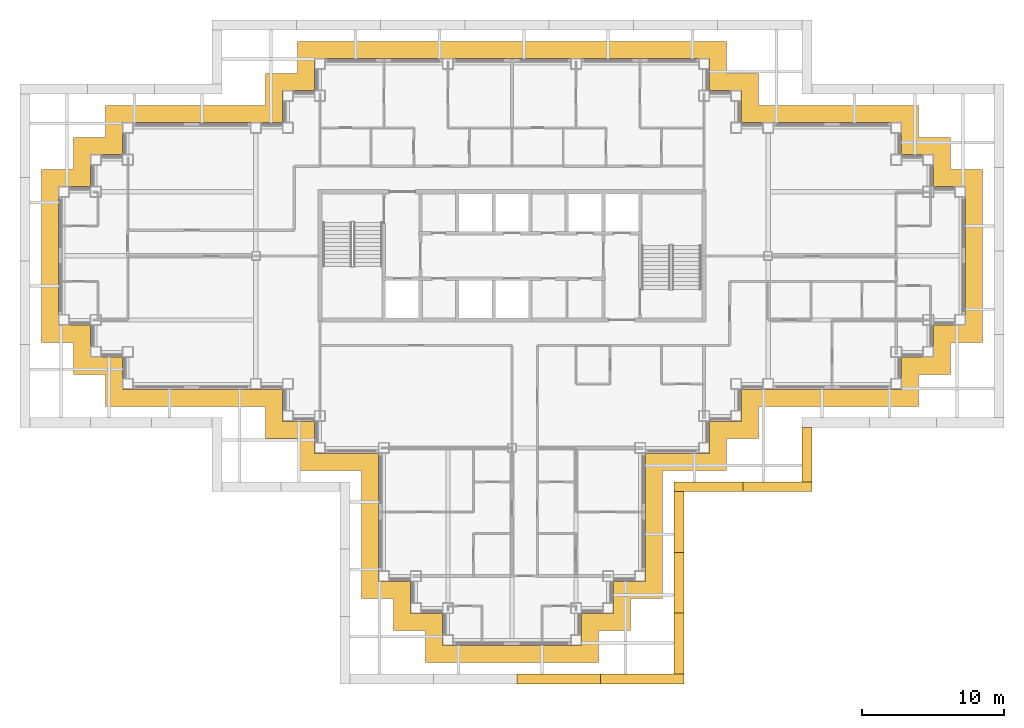
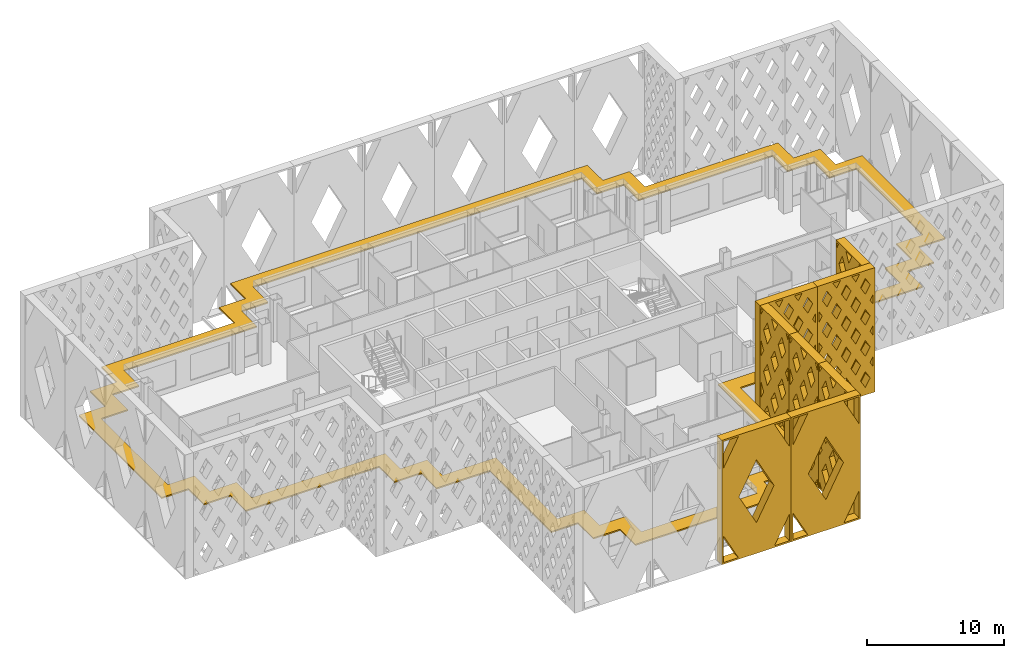
# One storey, part 15 of 18: 9 shading devices.
"""IFC4 building model written with IfcOpenShell, lengths in metres."""

from ifc_helpers import new_model, si_unit, direction, frame, origin, place, context, subcontext, project, spatial, polyline, outline, extrude, material, layer, layer_set, type_object, element, save


model = new_model("IFC4")

# Units and contexts
model_context = context("Model", 3, precision=1e-05, world=origin(), true_north=direction((0.0, 1.0)))
body_context = subcontext(model_context, "Body", "Model", "MODEL_VIEW")
ifc_project = project(units=[si_unit("LENGTHUNIT", "METRE"), si_unit("AREAUNIT", "SQUARE_METRE"), si_unit("VOLUMEUNIT", "CUBIC_METRE"), si_unit("PLANEANGLEUNIT", "RADIAN"), si_unit("MASSUNIT", "GRAM", prefix="KILO")], contexts=[model_context])

# Site, building, storey
site_placement = place(None, origin())
site = spatial("IfcSite", under=ifc_project, at=site_placement, CompositionType="ELEMENT")
building_placement = place(site_placement, origin())
building = spatial("IfcBuilding", under=site, at=building_placement, Name="Caravel Reach Hotel and Residences", CompositionType="ELEMENT")
storey_placement = place(building_placement, frame((0.0, 0.0, 176.5)))
storey = spatial("IfcBuildingStorey", under=building, at=storey_placement, Name="L44", CompositionType="ELEMENT", Elevation=176.5)

# Shading devices
ifc_material_1 = material(Name="Black powder-coated aluminium", Category="aluminium")
shading_device_type_1 = type_object("IfcShadingDeviceType", Name="Diamond lattice screen panel 3800 x 11100", PredefinedType="USERDEFINED", material=ifc_material_1)
shading_device_1_placement = place(storey_placement, frame((51.875, 11.125, 0.0), z_axis=(1.0, 0.0, 0.0), x_axis=(0.0, 1.0, 0.0)))
element("IfcShadingDevice", 1, at=shading_device_1_placement, inside=storey, type_object=shading_device_type_1, Name="Lattice screen L44-L46 5.1", ObjectType="SCREEN", PredefinedType="USERDEFINED", context=body_context, shape_type="SweptSolid", body=[
    extrude(outline(polyline([(0.0, 0.0), (3.800048828125, 0.0), (3.800048828125, 11.10009765625), (0.0, 11.10009765625), (0.0, 0.0)]), holes=[polyline([(0.412109375, 0.14990234375), (0.14990234375, 0.660400390625), (0.14990234375, 0.14990234375), (0.412109375, 0.14990234375)]), polyline([(0.4892578125, 3.699951171875), (0.14990234375, 4.3603515625), (0.14990234375, 3.03955078125), (0.4892578125, 3.699951171875)]), polyline([(0.4892578125, 7.39990234375), (0.14990234375, 8.060302734375), (0.14990234375, 6.739501953125), (0.4892578125, 7.39990234375)]), polyline([(0.14990234375, 10.439697265625), (0.412109375, 10.949951171875), (0.14990234375, 10.949951171875), (0.14990234375, 10.439697265625)]), polyline([(0.949951171875, 2.802490234375), (0.4609375, 1.85009765625), (0.949951171875, 0.8974609375), (1.439208984375, 1.85009765625), (0.949951171875, 2.802490234375)]), polyline([(0.949951171875, 6.50244140625), (0.4609375, 5.550048828125), (0.949951171875, 4.597412109375), (1.439208984375, 5.550048828125), (0.949951171875, 6.50244140625)]), polyline([(0.949951171875, 10.20263671875), (0.4609375, 9.25), (0.949951171875, 8.29736328125), (1.439208984375, 9.25), (0.949951171875, 10.20263671875)]), polyline([(1.89990234375, 0.95263671875), (1.48779296875, 0.14990234375), (2.31201171875, 0.14990234375), (1.89990234375, 0.95263671875)]), polyline([(1.89990234375, 4.652587890625), (1.410888671875, 3.699951171875), (1.89990234375, 2.74755859375), (2.38916015625, 3.699951171875), (1.89990234375, 4.652587890625)]), polyline([(1.89990234375, 8.3525390625), (1.410888671875, 7.39990234375), (1.89990234375, 6.447509765625), (2.38916015625, 7.39990234375), (1.89990234375, 8.3525390625)]), polyline([(1.89990234375, 10.1474609375), (2.31201171875, 10.949951171875), (1.48779296875, 10.949951171875), (1.89990234375, 10.1474609375)]), polyline([(2.85009765625, 2.802490234375), (2.36083984375, 1.85009765625), (2.85009765625, 0.8974609375), (3.339111328125, 1.85009765625), (2.85009765625, 2.802490234375)]), polyline([(2.85009765625, 6.50244140625), (2.36083984375, 5.550048828125), (2.85009765625, 4.597412109375), (3.339111328125, 5.550048828125), (2.85009765625, 6.50244140625)]), polyline([(2.85009765625, 10.20263671875), (2.36083984375, 9.25), (2.85009765625, 8.29736328125), (3.339111328125, 9.25), (2.85009765625, 10.20263671875)]), polyline([(3.64990234375, 0.660400390625), (3.387939453125, 0.14990234375), (3.64990234375, 0.14990234375), (3.64990234375, 0.660400390625)]), polyline([(3.310791015625, 3.699951171875), (3.64990234375, 3.03955078125), (3.64990234375, 4.3603515625), (3.310791015625, 3.699951171875)]), polyline([(3.310791015625, 7.39990234375), (3.64990234375, 6.739501953125), (3.64990234375, 8.060302734375), (3.310791015625, 7.39990234375)]), polyline([(3.387939453125, 10.949951171875), (3.64990234375, 10.439697265625), (3.64990234375, 10.949951171875), (3.387939453125, 10.949951171875)])]), origin(), (0.0, 0.0, 1.0), 0.699951171875),
])
ifc_material_2 = material(Name="Black powder-coated aluminium", Category="aluminium")
shading_device_type_2 = type_object("IfcShadingDeviceType", Name="Diamond lattice screen panel 4267 x 11100", PredefinedType="USERDEFINED", material=ifc_material_2)
shading_device_2_placement = place(storey_placement, frame((42.875, -2.375, 0.0), z_axis=(1.0, 0.0, 0.0), x_axis=(0.0, 1.0, 0.0)))
element("IfcShadingDevice", 2, at=shading_device_2_placement, inside=storey, type_object=shading_device_type_2, Name="Lattice screen L44-L46 3.1", ObjectType="SCREEN", PredefinedType="USERDEFINED", context=body_context, shape_type="SweptSolid", body=[
    extrude(outline(polyline([(0.0, 0.0), (4.2666015625, 0.0), (4.2666015625, 11.10009765625), (0.0, 11.10009765625), (0.0, 0.0)]), holes=[polyline([(0.45947265625, 0.14990234375), (0.14990234375, 0.6865234375), (0.14990234375, 0.14990234375), (0.45947265625, 0.14990234375)]), polyline([(0.5458984375, 3.699951171875), (0.14990234375, 4.386474609375), (0.14990234375, 3.013427734375), (0.5458984375, 3.699951171875)]), polyline([(0.5458984375, 7.39990234375), (0.14990234375, 8.086669921875), (0.14990234375, 6.71337890625), (0.5458984375, 7.39990234375)]), polyline([(0.14990234375, 10.413330078125), (0.45947265625, 10.949951171875), (0.14990234375, 10.949951171875), (0.14990234375, 10.413330078125)]), polyline([(1.066650390625, 2.796630859375), (0.520751953125, 1.85009765625), (1.066650390625, 0.9033203125), (1.612548828125, 1.85009765625), (1.066650390625, 2.796630859375)]), polyline([(1.066650390625, 6.496826171875), (0.520751953125, 5.550048828125), (1.066650390625, 4.603271484375), (1.612548828125, 5.550048828125), (1.066650390625, 6.496826171875)]), polyline([(1.066650390625, 10.19677734375), (0.520751953125, 9.25), (1.066650390625, 8.30322265625), (1.612548828125, 9.25), (1.066650390625, 10.19677734375)]), polyline([(2.13330078125, 0.94677734375), (1.674072265625, 0.14990234375), (2.5927734375, 0.14990234375), (2.13330078125, 0.94677734375)]), polyline([(2.13330078125, 4.646728515625), (1.58740234375, 3.699951171875), (2.13330078125, 2.753173828125), (2.67919921875, 3.699951171875), (2.13330078125, 4.646728515625)]), polyline([(2.13330078125, 8.3466796875), (1.58740234375, 7.39990234375), (2.13330078125, 6.453369140625), (2.67919921875, 7.39990234375), (2.13330078125, 8.3466796875)]), polyline([(2.13330078125, 10.1533203125), (2.5927734375, 10.949951171875), (1.674072265625, 10.949951171875), (2.13330078125, 10.1533203125)]), polyline([(3.199951171875, 2.796630859375), (2.654052734375, 1.85009765625), (3.199951171875, 0.9033203125), (3.745849609375, 1.85009765625), (3.199951171875, 2.796630859375)]), polyline([(3.199951171875, 6.496826171875), (2.654052734375, 5.550048828125), (3.199951171875, 4.603271484375), (3.745849609375, 5.550048828125), (3.199951171875, 6.496826171875)]), polyline([(3.199951171875, 10.19677734375), (2.654052734375, 9.25), (3.199951171875, 8.30322265625), (3.745849609375, 9.25), (3.199951171875, 10.19677734375)]), polyline([(4.11669921875, 0.6865234375), (3.807373046875, 0.14990234375), (4.11669921875, 0.14990234375), (4.11669921875, 0.6865234375)]), polyline([(3.720703125, 3.699951171875), (4.11669921875, 3.013427734375), (4.11669921875, 4.386474609375), (3.720703125, 3.699951171875)]), polyline([(3.720703125, 7.39990234375), (4.11669921875, 6.71337890625), (4.11669921875, 8.086669921875), (3.720703125, 7.39990234375)]), polyline([(3.807373046875, 10.949951171875), (4.11669921875, 10.413330078125), (4.11669921875, 10.949951171875), (3.807373046875, 10.949951171875)])]), origin(), (0.0, 0.0, 1.0), 0.699951171875),
])
shading_device_3_placement = place(storey_placement, frame((42.875, 1.8916015625, 0.0), z_axis=(1.0, 0.0, 0.0), x_axis=(0.0, 1.0, 0.0)))
element("IfcShadingDevice", 3, at=shading_device_3_placement, inside=storey, type_object=shading_device_type_2, Name="Lattice screen L44-L46 3.2", ObjectType="SCREEN", PredefinedType="USERDEFINED", context=body_context, shape_type="SweptSolid", body=[
    extrude(outline(polyline([(0.0, 0.0), (4.2666015625, 0.0), (4.2666015625, 11.10009765625), (0.0, 11.10009765625), (0.0, 0.0)]), holes=[polyline([(0.45947265625, 0.14990234375), (0.14990234375, 0.6865234375), (0.14990234375, 0.14990234375), (0.45947265625, 0.14990234375)]), polyline([(0.5458984375, 3.699951171875), (0.14990234375, 4.386474609375), (0.14990234375, 3.013427734375), (0.5458984375, 3.699951171875)]), polyline([(0.5458984375, 7.39990234375), (0.14990234375, 8.086669921875), (0.14990234375, 6.71337890625), (0.5458984375, 7.39990234375)]), polyline([(0.14990234375, 10.413330078125), (0.45947265625, 10.949951171875), (0.14990234375, 10.949951171875), (0.14990234375, 10.413330078125)]), polyline([(1.066650390625, 2.796630859375), (0.520751953125, 1.85009765625), (1.066650390625, 0.9033203125), (1.612548828125, 1.85009765625), (1.066650390625, 2.796630859375)]), polyline([(1.066650390625, 6.496826171875), (0.520751953125, 5.550048828125), (1.066650390625, 4.603271484375), (1.612548828125, 5.550048828125), (1.066650390625, 6.496826171875)]), polyline([(1.066650390625, 10.19677734375), (0.520751953125, 9.25), (1.066650390625, 8.30322265625), (1.612548828125, 9.25), (1.066650390625, 10.19677734375)]), polyline([(2.13330078125, 0.94677734375), (1.674072265625, 0.14990234375), (2.5927734375, 0.14990234375), (2.13330078125, 0.94677734375)]), polyline([(2.13330078125, 4.646728515625), (1.58740234375, 3.699951171875), (2.13330078125, 2.753173828125), (2.67919921875, 3.699951171875), (2.13330078125, 4.646728515625)]), polyline([(2.13330078125, 8.3466796875), (1.58740234375, 7.39990234375), (2.13330078125, 6.453369140625), (2.67919921875, 7.39990234375), (2.13330078125, 8.3466796875)]), polyline([(2.13330078125, 10.1533203125), (2.5927734375, 10.949951171875), (1.674072265625, 10.949951171875), (2.13330078125, 10.1533203125)]), polyline([(3.199951171875, 2.796630859375), (2.654052734375, 1.85009765625), (3.199951171875, 0.9033203125), (3.745849609375, 1.85009765625), (3.199951171875, 2.796630859375)]), polyline([(3.199951171875, 6.496826171875), (2.654052734375, 5.550048828125), (3.199951171875, 4.603271484375), (3.745849609375, 5.550048828125), (3.199951171875, 6.496826171875)]), polyline([(3.199951171875, 10.19677734375), (2.654052734375, 9.25), (3.199951171875, 8.30322265625), (3.745849609375, 9.25), (3.199951171875, 10.19677734375)]), polyline([(4.11669921875, 0.6865234375), (3.807373046875, 0.14990234375), (4.11669921875, 0.14990234375), (4.11669921875, 0.6865234375)]), polyline([(3.720703125, 3.699951171875), (4.11669921875, 3.013427734375), (4.11669921875, 4.386474609375), (3.720703125, 3.699951171875)]), polyline([(3.720703125, 7.39990234375), (4.11669921875, 6.71337890625), (4.11669921875, 8.086669921875), (3.720703125, 7.39990234375)]), polyline([(3.807373046875, 10.949951171875), (4.11669921875, 10.413330078125), (4.11669921875, 10.949951171875), (3.807373046875, 10.949951171875)])]), origin(), (0.0, 0.0, 1.0), 0.699951171875),
])
shading_device_4_placement = place(storey_placement, frame((42.875, 6.158447265625, 0.0), z_axis=(1.0, 0.0, 0.0), x_axis=(0.0, 1.0, 0.0)))
element("IfcShadingDevice", 4, at=shading_device_4_placement, inside=storey, type_object=shading_device_type_2, Name="Lattice screen L44-L46 3.3", ObjectType="SCREEN", PredefinedType="USERDEFINED", context=body_context, shape_type="SweptSolid", body=[
    extrude(outline(polyline([(0.0, 0.0), (4.2666015625, 0.0), (4.2666015625, 11.10009765625), (0.0, 11.10009765625), (0.0, 0.0)]), holes=[polyline([(0.45947265625, 0.14990234375), (0.14990234375, 0.6865234375), (0.14990234375, 0.14990234375), (0.45947265625, 0.14990234375)]), polyline([(0.5458984375, 3.699951171875), (0.14990234375, 4.386474609375), (0.14990234375, 3.013427734375), (0.5458984375, 3.699951171875)]), polyline([(0.5458984375, 7.39990234375), (0.14990234375, 8.086669921875), (0.14990234375, 6.71337890625), (0.5458984375, 7.39990234375)]), polyline([(0.14990234375, 10.413330078125), (0.45947265625, 10.949951171875), (0.14990234375, 10.949951171875), (0.14990234375, 10.413330078125)]), polyline([(1.066650390625, 2.796630859375), (0.520751953125, 1.85009765625), (1.066650390625, 0.9033203125), (1.612548828125, 1.85009765625), (1.066650390625, 2.796630859375)]), polyline([(1.066650390625, 6.496826171875), (0.520751953125, 5.550048828125), (1.066650390625, 4.603271484375), (1.612548828125, 5.550048828125), (1.066650390625, 6.496826171875)]), polyline([(1.066650390625, 10.19677734375), (0.520751953125, 9.25), (1.066650390625, 8.30322265625), (1.612548828125, 9.25), (1.066650390625, 10.19677734375)]), polyline([(2.13330078125, 0.94677734375), (1.674072265625, 0.14990234375), (2.5927734375, 0.14990234375), (2.13330078125, 0.94677734375)]), polyline([(2.13330078125, 4.646728515625), (1.58740234375, 3.699951171875), (2.13330078125, 2.753173828125), (2.67919921875, 3.699951171875), (2.13330078125, 4.646728515625)]), polyline([(2.13330078125, 8.3466796875), (1.58740234375, 7.39990234375), (2.13330078125, 6.453369140625), (2.67919921875, 7.39990234375), (2.13330078125, 8.3466796875)]), polyline([(2.13330078125, 10.1533203125), (2.5927734375, 10.949951171875), (1.674072265625, 10.949951171875), (2.13330078125, 10.1533203125)]), polyline([(3.199951171875, 2.796630859375), (2.654052734375, 1.85009765625), (3.199951171875, 0.9033203125), (3.745849609375, 1.85009765625), (3.199951171875, 2.796630859375)]), polyline([(3.199951171875, 6.496826171875), (2.654052734375, 5.550048828125), (3.199951171875, 4.603271484375), (3.745849609375, 5.550048828125), (3.199951171875, 6.496826171875)]), polyline([(3.199951171875, 10.19677734375), (2.654052734375, 9.25), (3.199951171875, 8.30322265625), (3.745849609375, 9.25), (3.199951171875, 10.19677734375)]), polyline([(4.11669921875, 0.6865234375), (3.807373046875, 0.14990234375), (4.11669921875, 0.14990234375), (4.11669921875, 0.6865234375)]), polyline([(3.720703125, 3.699951171875), (4.11669921875, 3.013427734375), (4.11669921875, 4.386474609375), (3.720703125, 3.699951171875)]), polyline([(3.720703125, 7.39990234375), (4.11669921875, 6.71337890625), (4.11669921875, 8.086669921875), (3.720703125, 7.39990234375)]), polyline([(3.807373046875, 10.949951171875), (4.11669921875, 10.413330078125), (4.11669921875, 10.949951171875), (3.807373046875, 10.949951171875)])]), origin(), (0.0, 0.0, 1.0), 0.699951171875),
])
ifc_material_3 = material(Name="Black powder-coated aluminium", Category="aluminium")
shading_device_type_3 = type_object("IfcShadingDeviceType", Name="Diamond lattice screen panel 4850 x 11100", PredefinedType="USERDEFINED", material=ifc_material_3)
shading_device_5_placement = place(storey_placement, frame((42.875, 11.125, 0.0), z_axis=(0.0, -1.0, 0.0), x_axis=(1.0, 0.0, 0.0)))
element("IfcShadingDevice", 5, at=shading_device_5_placement, inside=storey, type_object=shading_device_type_3, Name="Lattice screen L44-L46 4.1", ObjectType="SCREEN", PredefinedType="USERDEFINED", context=body_context, shape_type="SweptSolid", body=[
    extrude(outline(polyline([(0.0, 0.0), (4.85009765625, 0.0), (4.85009765625, 11.10009765625), (0.0, 11.10009765625), (0.0, 0.0)]), holes=[polyline([(0.41064453125, 2.77490234375), (0.14990234375, 3.22265625), (0.14990234375, 2.327392578125), (0.41064453125, 2.77490234375)]), polyline([(0.41064453125, 5.550048828125), (0.14990234375, 5.99755859375), (0.14990234375, 5.1025390625), (0.41064453125, 5.550048828125)]), polyline([(0.41064453125, 8.324951171875), (0.14990234375, 8.7724609375), (0.14990234375, 7.87744140625), (0.41064453125, 8.324951171875)]), polyline([(0.808349609375, 2.092529296875), (0.397705078125, 1.387451171875), (0.808349609375, 0.682373046875), (1.218994140625, 1.387451171875), (0.808349609375, 2.092529296875)]), polyline([(0.808349609375, 4.867431640625), (0.397705078125, 4.16259765625), (0.808349609375, 3.45751953125), (1.218994140625, 4.16259765625), (0.808349609375, 4.867431640625)]), polyline([(0.808349609375, 7.642578125), (0.397705078125, 6.9375), (0.808349609375, 6.232421875), (1.218994140625, 6.9375), (0.808349609375, 7.642578125)]), polyline([(0.808349609375, 10.41748046875), (0.397705078125, 9.71240234375), (0.808349609375, 9.007568359375), (1.218994140625, 9.71240234375), (0.808349609375, 10.41748046875)]), polyline([(1.61669921875, 0.705078125), (1.293212890625, 0.14990234375), (1.93994140625, 0.14990234375), (1.61669921875, 0.705078125)]), polyline([(1.61669921875, 3.47998046875), (1.205810546875, 2.77490234375), (1.61669921875, 2.070068359375), (2.02734375, 2.77490234375), (1.61669921875, 3.47998046875)]), polyline([(1.61669921875, 6.255126953125), (1.205810546875, 5.550048828125), (1.61669921875, 4.844970703125), (2.02734375, 5.550048828125), (1.61669921875, 6.255126953125)]), polyline([(1.61669921875, 9.030029296875), (1.205810546875, 8.324951171875), (1.61669921875, 7.619873046875), (2.02734375, 8.324951171875), (1.61669921875, 9.030029296875)]), polyline([(1.61669921875, 10.39501953125), (1.93994140625, 10.949951171875), (1.293212890625, 10.949951171875), (1.61669921875, 10.39501953125)]), polyline([(2.425048828125, 2.092529296875), (2.01416015625, 1.387451171875), (2.425048828125, 0.682373046875), (2.835693359375, 1.387451171875), (2.425048828125, 2.092529296875)]), polyline([(2.425048828125, 4.867431640625), (2.01416015625, 4.16259765625), (2.425048828125, 3.45751953125), (2.835693359375, 4.16259765625), (2.425048828125, 4.867431640625)]), polyline([(2.425048828125, 7.642578125), (2.01416015625, 6.9375), (2.425048828125, 6.232421875), (2.835693359375, 6.9375), (2.425048828125, 7.642578125)]), polyline([(2.425048828125, 10.41748046875), (2.01416015625, 9.71240234375), (2.425048828125, 9.007568359375), (2.835693359375, 9.71240234375), (2.425048828125, 10.41748046875)]), polyline([(3.2333984375, 0.705078125), (2.909912109375, 0.14990234375), (3.556640625, 0.14990234375), (3.2333984375, 0.705078125)]), polyline([(3.2333984375, 3.47998046875), (2.822509765625, 2.77490234375), (3.2333984375, 2.070068359375), (3.64404296875, 2.77490234375), (3.2333984375, 3.47998046875)]), polyline([(3.2333984375, 6.255126953125), (2.822509765625, 5.550048828125), (3.2333984375, 4.844970703125), (3.64404296875, 5.550048828125), (3.2333984375, 6.255126953125)]), polyline([(3.2333984375, 9.030029296875), (2.822509765625, 8.324951171875), (3.2333984375, 7.619873046875), (3.64404296875, 8.324951171875), (3.2333984375, 9.030029296875)]), polyline([(3.2333984375, 10.39501953125), (3.556640625, 10.949951171875), (2.909912109375, 10.949951171875), (3.2333984375, 10.39501953125)]), polyline([(4.041748046875, 2.092529296875), (3.630859375, 1.387451171875), (4.041748046875, 0.682373046875), (4.452392578125, 1.387451171875), (4.041748046875, 2.092529296875)]), polyline([(4.041748046875, 4.867431640625), (3.630859375, 4.16259765625), (4.041748046875, 3.45751953125), (4.452392578125, 4.16259765625), (4.041748046875, 4.867431640625)]), polyline([(4.041748046875, 7.642578125), (3.630859375, 6.9375), (4.041748046875, 6.232421875), (4.452392578125, 6.9375), (4.041748046875, 7.642578125)]), polyline([(4.041748046875, 10.41748046875), (3.630859375, 9.71240234375), (4.041748046875, 9.007568359375), (4.452392578125, 9.71240234375), (4.041748046875, 10.41748046875)]), polyline([(4.439208984375, 2.77490234375), (4.699951171875, 2.327392578125), (4.699951171875, 3.22265625), (4.439208984375, 2.77490234375)]), polyline([(4.439208984375, 5.550048828125), (4.699951171875, 5.1025390625), (4.699951171875, 5.99755859375), (4.439208984375, 5.550048828125)]), polyline([(4.439208984375, 8.324951171875), (4.699951171875, 7.87744140625), (4.699951171875, 8.7724609375), (4.439208984375, 8.324951171875)])]), origin(), (0.0, 0.0, 1.0), 0.699951171875),
])
shading_device_6_placement = place(storey_placement, frame((47.72509765625, 11.125, 0.0), z_axis=(0.0, -1.0, 0.0), x_axis=(1.0, 0.0, 0.0)))
element("IfcShadingDevice", 6, at=shading_device_6_placement, inside=storey, type_object=shading_device_type_3, Name="Lattice screen L44-L46 4.2", ObjectType="SCREEN", PredefinedType="USERDEFINED", context=body_context, shape_type="SweptSolid", body=[
    extrude(outline(polyline([(0.0, 0.0), (4.85009765625, 0.0), (4.85009765625, 11.10009765625), (0.0, 11.10009765625), (0.0, 0.0)]), holes=[polyline([(0.41064453125, 2.77490234375), (0.14990234375, 3.22265625), (0.14990234375, 2.327392578125), (0.41064453125, 2.77490234375)]), polyline([(0.41064453125, 5.550048828125), (0.14990234375, 5.99755859375), (0.14990234375, 5.1025390625), (0.41064453125, 5.550048828125)]), polyline([(0.41064453125, 8.324951171875), (0.14990234375, 8.7724609375), (0.14990234375, 7.87744140625), (0.41064453125, 8.324951171875)]), polyline([(0.808349609375, 2.092529296875), (0.397705078125, 1.387451171875), (0.808349609375, 0.682373046875), (1.218994140625, 1.387451171875), (0.808349609375, 2.092529296875)]), polyline([(0.808349609375, 4.867431640625), (0.397705078125, 4.16259765625), (0.808349609375, 3.45751953125), (1.218994140625, 4.16259765625), (0.808349609375, 4.867431640625)]), polyline([(0.808349609375, 7.642578125), (0.397705078125, 6.9375), (0.808349609375, 6.232421875), (1.218994140625, 6.9375), (0.808349609375, 7.642578125)]), polyline([(0.808349609375, 10.41748046875), (0.397705078125, 9.71240234375), (0.808349609375, 9.007568359375), (1.218994140625, 9.71240234375), (0.808349609375, 10.41748046875)]), polyline([(1.61669921875, 0.705078125), (1.293212890625, 0.14990234375), (1.93994140625, 0.14990234375), (1.61669921875, 0.705078125)]), polyline([(1.61669921875, 3.47998046875), (1.205810546875, 2.77490234375), (1.61669921875, 2.070068359375), (2.02734375, 2.77490234375), (1.61669921875, 3.47998046875)]), polyline([(1.61669921875, 6.255126953125), (1.205810546875, 5.550048828125), (1.61669921875, 4.844970703125), (2.02734375, 5.550048828125), (1.61669921875, 6.255126953125)]), polyline([(1.61669921875, 9.030029296875), (1.205810546875, 8.324951171875), (1.61669921875, 7.619873046875), (2.02734375, 8.324951171875), (1.61669921875, 9.030029296875)]), polyline([(1.61669921875, 10.39501953125), (1.93994140625, 10.949951171875), (1.293212890625, 10.949951171875), (1.61669921875, 10.39501953125)]), polyline([(2.425048828125, 2.092529296875), (2.01416015625, 1.387451171875), (2.425048828125, 0.682373046875), (2.835693359375, 1.387451171875), (2.425048828125, 2.092529296875)]), polyline([(2.425048828125, 4.867431640625), (2.01416015625, 4.16259765625), (2.425048828125, 3.45751953125), (2.835693359375, 4.16259765625), (2.425048828125, 4.867431640625)]), polyline([(2.425048828125, 7.642578125), (2.01416015625, 6.9375), (2.425048828125, 6.232421875), (2.835693359375, 6.9375), (2.425048828125, 7.642578125)]), polyline([(2.425048828125, 10.41748046875), (2.01416015625, 9.71240234375), (2.425048828125, 9.007568359375), (2.835693359375, 9.71240234375), (2.425048828125, 10.41748046875)]), polyline([(3.2333984375, 0.705078125), (2.909912109375, 0.14990234375), (3.556640625, 0.14990234375), (3.2333984375, 0.705078125)]), polyline([(3.2333984375, 3.47998046875), (2.822509765625, 2.77490234375), (3.2333984375, 2.070068359375), (3.64404296875, 2.77490234375), (3.2333984375, 3.47998046875)]), polyline([(3.2333984375, 6.255126953125), (2.822509765625, 5.550048828125), (3.2333984375, 4.844970703125), (3.64404296875, 5.550048828125), (3.2333984375, 6.255126953125)]), polyline([(3.2333984375, 9.030029296875), (2.822509765625, 8.324951171875), (3.2333984375, 7.619873046875), (3.64404296875, 8.324951171875), (3.2333984375, 9.030029296875)]), polyline([(3.2333984375, 10.39501953125), (3.556640625, 10.949951171875), (2.909912109375, 10.949951171875), (3.2333984375, 10.39501953125)]), polyline([(4.041748046875, 2.092529296875), (3.630859375, 1.387451171875), (4.041748046875, 0.682373046875), (4.452392578125, 1.387451171875), (4.041748046875, 2.092529296875)]), polyline([(4.041748046875, 4.867431640625), (3.630859375, 4.16259765625), (4.041748046875, 3.45751953125), (4.452392578125, 4.16259765625), (4.041748046875, 4.867431640625)]), polyline([(4.041748046875, 7.642578125), (3.630859375, 6.9375), (4.041748046875, 6.232421875), (4.452392578125, 6.9375), (4.041748046875, 7.642578125)]), polyline([(4.041748046875, 10.41748046875), (3.630859375, 9.71240234375), (4.041748046875, 9.007568359375), (4.452392578125, 9.71240234375), (4.041748046875, 10.41748046875)]), polyline([(4.439208984375, 2.77490234375), (4.699951171875, 2.327392578125), (4.699951171875, 3.22265625), (4.439208984375, 2.77490234375)]), polyline([(4.439208984375, 5.550048828125), (4.699951171875, 5.1025390625), (4.699951171875, 5.99755859375), (4.439208984375, 5.550048828125)]), polyline([(4.439208984375, 8.324951171875), (4.699951171875, 7.87744140625), (4.699951171875, 8.7724609375), (4.439208984375, 8.324951171875)])]), origin(), (0.0, 0.0, 1.0), 0.699951171875),
])
ifc_material_4 = material(Name="Black powder-coated aluminium", Category="aluminium")
shading_device_type_4 = type_object("IfcShadingDeviceType", Name="Diamond lattice screen panel 5862 x 11100", PredefinedType="USERDEFINED", material=ifc_material_4)
for number, where, z_axis, x_axis, name in (
    (7, (31.85009765625, -2.375, 0.0), (0.0, -1.0, 0.0), (1.0, 0.0, 0.0), "Lattice screen L44-L46 2.3"),
    (8, (37.71240234375, -2.375, 0.0), (0.0, -1.0, 0.0), (1.0, 0.0, 0.0), "Lattice screen L44-L46 2.4"),
):
    element("IfcShadingDevice", number, at=place(storey_placement, frame(where, z_axis=z_axis, x_axis=x_axis)), inside=storey, type_object=shading_device_type_4, Name=name, ObjectType="SCREEN", PredefinedType="USERDEFINED", context=body_context, shape_type="SweptSolid", body=[
        extrude(outline(polyline([(0.0, 0.0), (5.862548828125, 0.0), (5.862548828125, 11.10009765625), (0.0, 11.10009765625), (0.0, 0.0)]), holes=[polyline([(1.405517578125, 0.14990234375), (0.14990234375, 2.527099609375), (0.14990234375, 0.14990234375), (1.405517578125, 0.14990234375)]), polyline([(0.14990234375, 8.572998046875), (1.405517578125, 10.949951171875), (0.14990234375, 10.949951171875), (0.14990234375, 8.572998046875)]), polyline([(2.93115234375, 8.361083984375), (1.446533203125, 5.550048828125), (2.93115234375, 2.73876953125), (4.416015625, 5.550048828125), (2.93115234375, 8.361083984375)]), polyline([(5.71240234375, 2.527099609375), (4.45703125, 0.14990234375), (5.71240234375, 0.14990234375), (5.71240234375, 2.527099609375)]), polyline([(4.45703125, 10.949951171875), (5.71240234375, 8.572998046875), (5.71240234375, 10.949951171875), (4.45703125, 10.949951171875)])]), origin(), (0.0, 0.0, 1.0), 0.699951171875),
    ])
ifc_material_5 = material(Name="Black powder-coated aluminium", Category="aluminium")
ifc_layer = layer(ifc_material_5, 0.1201171875)
ifc_layer_set = layer_set([ifc_layer], Name="SS1 Sunshade band 1200")
shading_device_type_5 = type_object("IfcShadingDeviceType", Name="SS1 Sunshade band 1200", PredefinedType="USERDEFINED", material=ifc_layer_set)
shading_device_7_placement = place(storey_placement, frame((0.0, 0.0, 3.0400390625)))
element("IfcShadingDevice", 9, at=shading_device_7_placement, inside=storey, type_object=shading_device_type_5, Name="Sunshade L44 1", ObjectType="SUNSHADE", PredefinedType="USERDEFINED", context=body_context, shape_type="SweptSolid", body=[
    extrude(outline(polyline([(20.925048828125, 11.925048828125), (20.925048828125, 2.925048828125), (23.175048828125, 2.925048828125), (23.175048828125, 0.675048828125), (25.425048828125, 0.675048828125), (25.425048828125, -1.574951171875), (37.574951171875, -1.574951171875), (37.574951171875, 0.675048828125), (39.824951171875, 0.675048828125), (39.824951171875, 2.925048828125), (42.074951171875, 2.925048828125), (42.074951171875, 11.925048828125), (46.574951171875, 11.925048828125), (46.574951171875, 14.175048828125), (48.824951171875, 14.175048828125), (48.824951171875, 16.425048828125), (60.074951171875, 16.425048828125), (60.074951171875, 18.675048828125), (62.324951171875, 18.675048828125), (62.324951171875, 20.925048828125), (64.574951171875, 20.925048828125), (64.574951171875, 33.074951171875), (62.324951171875, 33.074951171875), (62.324951171875, 35.324951171875), (60.074951171875, 35.324951171875), (60.074951171875, 37.574951171875), (48.824951171875, 37.574951171875), (48.824951171875, 39.824951171875), (46.574951171875, 39.824951171875), (46.574951171875, 42.074951171875), (16.425048828125, 42.074951171875), (16.425048828125, 39.824951171875), (14.175048828125, 39.824951171875), (14.175048828125, 37.574951171875), (2.925048828125, 37.574951171875), (2.925048828125, 35.324951171875), (0.675048828125, 35.324951171875), (0.675048828125, 33.074951171875), (-1.574951171875, 33.074951171875), (-1.574951171875, 20.925048828125), (0.675048828125, 20.925048828125), (0.675048828125, 18.675048828125), (2.925048828125, 18.675048828125), (2.925048828125, 16.425048828125), (14.175048828125, 16.425048828125), (14.175048828125, 14.175048828125), (16.425048828125, 14.175048828125), (16.425048828125, 11.925048828125), (20.925048828125, 11.925048828125)]), holes=[polyline([(24.375, 4.125), (22.125, 4.125), (22.125, 13.125), (17.625, 13.125), (17.625, 15.375), (15.375, 15.375), (15.375, 17.625), (4.125, 17.625), (4.125, 19.875), (1.875, 19.875), (1.875, 22.125), (-0.375, 22.125), (-0.375, 31.875), (1.875, 31.875), (1.875, 34.125), (4.125, 34.125), (4.125, 36.375), (15.375, 36.375), (15.375, 38.625), (17.625, 38.625), (17.625, 40.875), (45.375, 40.875), (45.375, 38.625), (47.625, 38.625), (47.625, 36.375), (58.875, 36.375), (58.875, 34.125), (61.125, 34.125), (61.125, 31.875), (63.375, 31.875), (63.375, 22.125), (61.125, 22.125), (61.125, 19.875), (58.875, 19.875), (58.875, 17.625), (47.625, 17.625), (47.625, 15.375), (45.375, 15.375), (45.375, 13.125), (40.875, 13.125), (40.875, 4.125), (38.625, 4.125), (38.625, 1.875), (36.375, 1.875), (36.375, -0.375), (26.625, -0.375), (26.625, 1.875), (24.375, 1.875), (24.375, 4.125)])]), origin(), (0.0, 0.0, 1.0), 0.119873046875),
])

save(model, "model.ifc")
